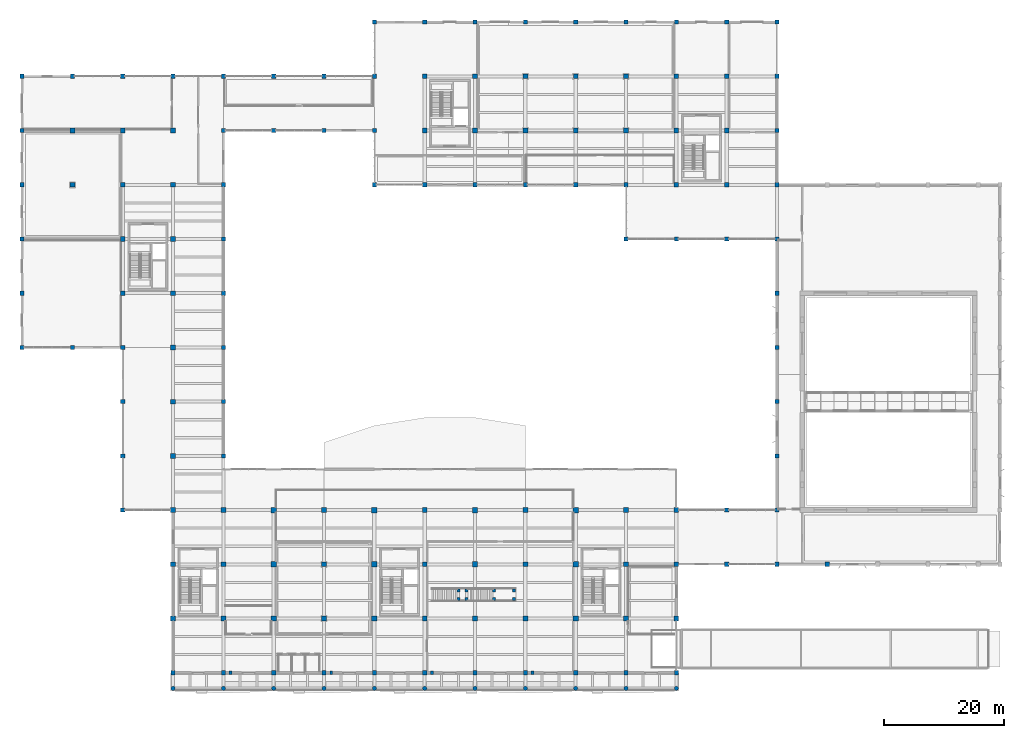
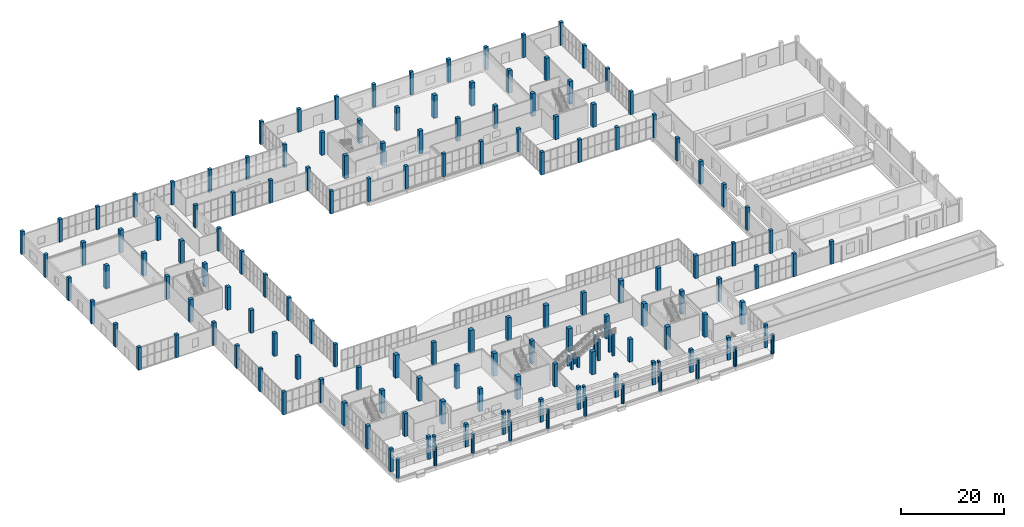
# One storey, part 1 of 91: 155 columns.
"""IFC4 building model written with IfcOpenShell, lengths in metres."""

from ifc_helpers import new_model, si_unit, direction, frame, origin, origin_2d, place, context, subcontext, project, spatial, rectangle, circle, extrude, material, material_profile, profile_set, type_object, element, save


model = new_model("IFC4")

# Units and contexts
model_context = context("Model", 3, precision=1e-05, world=origin(), true_north=direction((0.0, 1.0)))
body_context = subcontext(model_context, "Body", "Model", "MODEL_VIEW")
ifc_project = project(units=[si_unit("LENGTHUNIT", "METRE"), si_unit("AREAUNIT", "SQUARE_METRE"), si_unit("VOLUMEUNIT", "CUBIC_METRE"), si_unit("PLANEANGLEUNIT", "RADIAN"), si_unit("MASSUNIT", "GRAM", prefix="KILO")], contexts=[model_context])

# Site, building, storey
site_placement = place(None, origin())
site = spatial("IfcSite", under=ifc_project, at=site_placement, CompositionType="ELEMENT")
building_placement = place(site_placement, origin())
building = spatial("IfcBuilding", under=site, at=building_placement, Name="Khurvash Pelagic Aquarium", CompositionType="ELEMENT")
storey_placement = place(building_placement, origin())
storey = spatial("IfcBuildingStorey", under=building, at=storey_placement, Name="L00", CompositionType="ELEMENT", Elevation=0.0)

# Columns
ifc_material_1 = material(Name="Concrete C40/50", Category="concrete")
ifc_material_profile_1 = material_profile(ifc_material_1, rectangle(XDim=0.89990234375, YDim=0.89990234375, at=origin_2d()), Name="RC900X900")
ifc_profile_set_1 = profile_set([ifc_material_profile_1], Name="Concrete C40/50")
column_type_1 = type_object("IfcColumnType", Name="C-01", PredefinedType="COLUMN", material=ifc_profile_set_1)
for number, where, z_axis, x_axis, name in (
    (1, (42.0, 11.64990234375, 0.0), (0.0, 0.0, 1.0), (1.0, 0.0, 0.0), "L00 Column C-01 at 6/C"),
    (2, (42.0, 20.699951171875, 0.0), (0.0, 0.0, 1.0), (1.0, 0.0, 0.0), "L00 Column C-01 at 6/D"),
    (3, (42.0, 29.75, 0.0), (0.0, 0.0, 1.0), (1.0, 0.0, 0.0), "L00 Column C-01 at 6/E"),
    (4, (58.800048828125, 11.64990234375, 0.0), (0.0, 0.0, 1.0), (1.0, 0.0, 0.0), "L00 Column C-01 at 8/C"),
    (5, (58.800048828125, 20.699951171875, 0.0), (0.0, 0.0, 1.0), (1.0, 0.0, 0.0), "L00 Column C-01 at 8/D"),
    (6, (58.800048828125, 29.75, 0.0), (0.0, 0.0, 1.0), (1.0, 0.0, 0.0), "L00 Column C-01 at 8/E"),
    (7, (75.60009765625, 11.64990234375, 0.0), (0.0, 0.0, 1.0), (1.0, 0.0, 0.0), "L00 Column C-01 at 10/C"),
    (8, (75.60009765625, 20.699951171875, 0.0), (0.0, 0.0, 1.0), (1.0, 0.0, 0.0), "L00 Column C-01 at 10/D"),
    (9, (75.60009765625, 29.75, 0.0), (0.0, 0.0, 1.0), (1.0, 0.0, 0.0), "L00 Column C-01 at 10/E"),
    (10, (92.39990234375, 11.64990234375, 0.0), (0.0, 0.0, 1.0), (1.0, 0.0, 0.0), "L00 Column C-01 at 12/C"),
    (11, (92.39990234375, 20.699951171875, 0.0), (0.0, 0.0, 1.0), (1.0, 0.0, 0.0), "L00 Column C-01 at 12/D"),
    (12, (92.39990234375, 29.75, 0.0), (0.0, 0.0, 1.0), (1.0, 0.0, 0.0), "L00 Column C-01 at 12/E"),
):
    element("IfcColumn", number, at=place(storey_placement, frame(where, z_axis=z_axis, x_axis=x_axis)), inside=storey, type_object=column_type_1, Name=name, PredefinedType="COLUMN", context=body_context, shape_type="SweptSolid", body=[
        extrude(rectangle(XDim=0.89990234375, YDim=0.89990234375, at=origin_2d()), origin(), (0.0, 0.0, 1.0), 5.39990234375),
    ])
ifc_material_profile_2 = material_profile(ifc_material_1, rectangle(XDim=0.800048828125, YDim=0.800048828125, at=origin_2d()), Name="RC800X800")
ifc_profile_set_2 = profile_set([ifc_material_profile_2], Name="Concrete C40/50")
column_type_2 = type_object("IfcColumnType", Name="C-02", PredefinedType="COLUMN", material=ifc_profile_set_2)
for number, where, z_axis, x_axis, name in (
    (13, (8.39990234375, 84.050048828125, 0.0), (0.0, 0.0, 1.0), (1.0, 0.0, 0.0), "L00 Column C-02 at 2/L"),
    (14, (8.39990234375, 93.10009765625, 0.0), (0.0, 0.0, 1.0), (1.0, 0.0, 0.0), "L00 Column C-02 at 2/M"),
    (15, (16.800048828125, 65.949951171875, 0.0), (0.0, 0.0, 1.0), (1.0, 0.0, 0.0), "L00 Column C-02 at 3/J"),
    (16, (16.800048828125, 75.0, 0.0), (0.0, 0.0, 1.0), (1.0, 0.0, 0.0), "L00 Column C-02 at 3/K"),
    (17, (16.800048828125, 84.050048828125, 0.0), (0.0, 0.0, 1.0), (1.0, 0.0, 0.0), "L00 Column C-02 at 3/L"),
    (18, (16.800048828125, 93.10009765625, 0.0), (0.0, 0.0, 1.0), (1.0, 0.0, 0.0), "L00 Column C-02 at 3/M"),
    (19, (25.199951171875, 38.800048828125, 0.0), (0.0, 0.0, 1.0), (1.0, 0.0, 0.0), "L00 Column C-02 at 4/F"),
    (20, (25.199951171875, 47.85009765625, 0.0), (0.0, 0.0, 1.0), (1.0, 0.0, 0.0), "L00 Column C-02 at 4/G"),
    (21, (25.199951171875, 56.89990234375, 0.0), (0.0, 0.0, 1.0), (1.0, 0.0, 0.0), "L00 Column C-02 at 4/H"),
    (22, (25.199951171875, 65.949951171875, 0.0), (0.0, 0.0, 1.0), (1.0, 0.0, 0.0), "L00 Column C-02 at 4/J"),
    (23, (25.199951171875, 75.0, 0.0), (0.0, 0.0, 1.0), (1.0, 0.0, 0.0), "L00 Column C-02 at 4/K"),
    (24, (25.199951171875, 84.050048828125, 0.0), (0.0, 0.0, 1.0), (1.0, 0.0, 0.0), "L00 Column C-02 at 4/L"),
    (25, (25.199951171875, 93.10009765625, 0.0), (0.0, 0.0, 1.0), (1.0, 0.0, 0.0), "L00 Column C-02 at 4/M"),
    (26, (33.60009765625, 11.64990234375, 0.0), (0.0, 0.0, 1.0), (1.0, 0.0, 0.0), "L00 Column C-02 at 5/C"),
    (27, (33.60009765625, 20.699951171875, 0.0), (0.0, 0.0, 1.0), (1.0, 0.0, 0.0), "L00 Column C-02 at 5/D"),
    (28, (33.60009765625, 29.75, 0.0), (0.0, 0.0, 1.0), (1.0, 0.0, 0.0), "L00 Column C-02 at 5/E"),
    (29, (50.39990234375, 11.64990234375, 0.0), (0.0, 0.0, 1.0), (1.0, 0.0, 0.0), "L00 Column C-02 at 7/C"),
    (30, (50.39990234375, 20.699951171875, 0.0), (0.0, 0.0, 1.0), (1.0, 0.0, 0.0), "L00 Column C-02 at 7/D"),
    (31, (50.39990234375, 29.75, 0.0), (0.0, 0.0, 1.0), (1.0, 0.0, 0.0), "L00 Column C-02 at 7/E"),
    (32, (67.199951171875, 11.64990234375, 0.0), (0.0, 0.0, 1.0), (1.0, 0.0, 0.0), "L00 Column C-02 at 9/C"),
    (33, (67.199951171875, 20.699951171875, 0.0), (0.0, 0.0, 1.0), (1.0, 0.0, 0.0), "L00 Column C-02 at 9/D"),
    (34, (67.199951171875, 29.75, 0.0), (0.0, 0.0, 1.0), (1.0, 0.0, 0.0), "L00 Column C-02 at 9/E"),
    (35, (67.199951171875, 93.10009765625, 0.0), (0.0, 0.0, 1.0), (1.0, 0.0, 0.0), "L00 Column C-02 at 9/M"),
    (36, (67.199951171875, 102.14990234375, 0.0), (0.0, 0.0, 1.0), (1.0, 0.0, 0.0), "L00 Column C-02 at 9/N"),
    (37, (75.60009765625, 93.10009765625, 0.0), (0.0, 0.0, 1.0), (1.0, 0.0, 0.0), "L00 Column C-02 at 10/M"),
    (38, (75.60009765625, 102.14990234375, 0.0), (0.0, 0.0, 1.0), (1.0, 0.0, 0.0), "L00 Column C-02 at 10/N"),
    (39, (84.0, 11.64990234375, 0.0), (0.0, 0.0, 1.0), (1.0, 0.0, 0.0), "L00 Column C-02 at 11/C"),
    (40, (84.0, 20.699951171875, 0.0), (0.0, 0.0, 1.0), (1.0, 0.0, 0.0), "L00 Column C-02 at 11/D"),
    (41, (84.0, 29.75, 0.0), (0.0, 0.0, 1.0), (1.0, 0.0, 0.0), "L00 Column C-02 at 11/E"),
    (42, (84.0, 93.10009765625, 0.0), (0.0, 0.0, 1.0), (1.0, 0.0, 0.0), "L00 Column C-02 at 11/M"),
    (43, (84.0, 102.14990234375, 0.0), (0.0, 0.0, 1.0), (1.0, 0.0, 0.0), "L00 Column C-02 at 11/N"),
    (44, (92.39990234375, 93.10009765625, 0.0), (0.0, 0.0, 1.0), (1.0, 0.0, 0.0), "L00 Column C-02 at 12/M"),
    (45, (92.39990234375, 102.14990234375, 0.0), (0.0, 0.0, 1.0), (1.0, 0.0, 0.0), "L00 Column C-02 at 12/N"),
    (46, (100.800048828125, 11.64990234375, 0.0), (0.0, 0.0, 1.0), (1.0, 0.0, 0.0), "L00 Column C-02 at 13/C"),
    (47, (100.800048828125, 20.699951171875, 0.0), (0.0, 0.0, 1.0), (1.0, 0.0, 0.0), "L00 Column C-02 at 13/D"),
    (48, (100.800048828125, 29.75, 0.0), (0.0, 0.0, 1.0), (1.0, 0.0, 0.0), "L00 Column C-02 at 13/E"),
    (49, (100.800048828125, 93.10009765625, 0.0), (0.0, 0.0, 1.0), (1.0, 0.0, 0.0), "L00 Column C-02 at 13/M"),
    (50, (100.800048828125, 102.14990234375, 0.0), (0.0, 0.0, 1.0), (1.0, 0.0, 0.0), "L00 Column C-02 at 13/N"),
    (51, (109.199951171875, 84.050048828125, 0.0), (0.0, 0.0, 1.0), (1.0, 0.0, 0.0), "L00 Column C-02 at 14/L"),
    (52, (109.199951171875, 93.10009765625, 0.0), (0.0, 0.0, 1.0), (1.0, 0.0, 0.0), "L00 Column C-02 at 14/M"),
    (53, (109.199951171875, 102.14990234375, 0.0), (0.0, 0.0, 1.0), (1.0, 0.0, 0.0), "L00 Column C-02 at 14/N"),
    (54, (117.60009765625, 84.050048828125, 0.0), (0.0, 0.0, 1.0), (1.0, 0.0, 0.0), "L00 Column C-02 at 15/L"),
    (55, (117.60009765625, 93.10009765625, 0.0), (0.0, 0.0, 1.0), (1.0, 0.0, 0.0), "L00 Column C-02 at 15/M"),
    (56, (117.60009765625, 102.14990234375, 0.0), (0.0, 0.0, 1.0), (1.0, 0.0, 0.0), "L00 Column C-02 at 15/N"),
):
    element("IfcColumn", number, at=place(storey_placement, frame(where, z_axis=z_axis, x_axis=x_axis)), inside=storey, type_object=column_type_2, Name=name, PredefinedType="COLUMN", context=body_context, shape_type="SweptSolid", body=[
        extrude(rectangle(XDim=0.800048828125, YDim=0.800048828125, at=origin_2d()), origin(), (0.0, 0.0, 1.0), 5.39990234375),
    ])
ifc_material_2 = material(Name="Concrete C35/45", Category="concrete")
ifc_material_profile_3 = material_profile(ifc_material_2, rectangle(XDim=0.5, YDim=0.5, at=origin_2d()), Name="RC500X500")
ifc_profile_set_3 = profile_set([ifc_material_profile_3], Name="Concrete C35/45")
column_type_3 = type_object("IfcColumnType", Name="C-05", PredefinedType="COLUMN", material=ifc_profile_set_3)
for number, where, z_axis, x_axis, name in (
    (57, (72.800048828125, 14.89990234375, 0.0), (0.0, 0.0, 1.0), (1.0, 0.0, 0.0), "L00 Foyer Stair Support Column C-05"),
    (58, (72.800048828125, 16.300048828125, 0.0), (0.0, 0.0, 1.0), (1.0, 0.0, 0.0), "L00 Foyer Stair Support Column C-05"),
    (59, (74.199951171875, 14.89990234375, 0.0), (0.0, 0.0, 1.0), (1.0, 0.0, 0.0), "L00 Foyer Stair Support Column C-05"),
    (60, (74.199951171875, 16.300048828125, 0.0), (0.0, 0.0, 1.0), (1.0, 0.0, 0.0), "L00 Foyer Stair Support Column C-05"),
):
    element("IfcColumn", number, at=place(storey_placement, frame(where, z_axis=z_axis, x_axis=x_axis)), inside=storey, type_object=column_type_3, Name=name, PredefinedType="COLUMN", context=body_context, shape_type="SweptSolid", body=[
        extrude(rectangle(XDim=0.5, YDim=0.5, at=origin_2d()), origin(), (0.0, 0.0, 1.0), 2.39990234375),
    ])
for number, where, z_axis, x_axis, name in (
    (61, (78.800048828125, 14.89990234375, 0.0), (0.0, 0.0, 1.0), (1.0, 0.0, 0.0), "L00 Foyer Stair Support Column C-05"),
    (62, (78.800048828125, 16.300048828125, 0.0), (0.0, 0.0, 1.0), (1.0, 0.0, 0.0), "L00 Foyer Stair Support Column C-05"),
    (63, (82.10009765625, 14.89990234375, 0.0), (0.0, 0.0, 1.0), (1.0, 0.0, 0.0), "L00 Foyer Stair Support Column C-05"),
    (64, (82.10009765625, 16.300048828125, 0.0), (0.0, 0.0, 1.0), (1.0, 0.0, 0.0), "L00 Foyer Stair Support Column C-05"),
):
    element("IfcColumn", number, at=place(storey_placement, frame(where, z_axis=z_axis, x_axis=x_axis)), inside=storey, type_object=column_type_3, Name=name, PredefinedType="COLUMN", context=body_context, shape_type="SweptSolid", body=[
        extrude(rectangle(XDim=0.5, YDim=0.5, at=origin_2d()), origin(), (0.0, 0.0, 1.0), 5.10009765625),
    ])
ifc_material_profile_4 = material_profile(ifc_material_1, rectangle(XDim=0.800048828125, YDim=0.800048828125, at=origin_2d()), Name="RC800X800")
ifc_profile_set_4 = profile_set([ifc_material_profile_4], Name="Concrete C40/50")
column_type_4 = type_object("IfcColumnType", Name="C-06", PredefinedType="COLUMN", material=ifc_profile_set_4)
for number, where, z_axis, x_axis, name in (
    (65, (25.199951171875, 11.64990234375, 0.0), (0.0, 0.0, 1.0), (1.0, 0.0, 0.0), "L00 Column C-06 at 4/C"),
    (66, (25.199951171875, 20.699951171875, 0.0), (0.0, 0.0, 1.0), (1.0, 0.0, 0.0), "L00 Column C-06 at 4/D"),
    (67, (25.199951171875, 29.75, 0.0), (0.0, 0.0, 1.0), (1.0, 0.0, 0.0), "L00 Column C-06 at 4/E"),
    (68, (109.199951171875, 11.64990234375, 0.0), (0.0, 0.0, 1.0), (1.0, 0.0, 0.0), "L00 Column C-06 at 14/C"),
    (69, (109.199951171875, 20.699951171875, 0.0), (0.0, 0.0, 1.0), (1.0, 0.0, 0.0), "L00 Column C-06 at 14/D"),
    (70, (109.199951171875, 29.75, 0.0), (0.0, 0.0, 1.0), (1.0, 0.0, 0.0), "L00 Column C-06 at 14/E"),
):
    element("IfcColumn", number, at=place(storey_placement, frame(where, z_axis=z_axis, x_axis=x_axis)), inside=storey, type_object=column_type_4, Name=name, PredefinedType="COLUMN", context=body_context, shape_type="SweptSolid", body=[
        extrude(rectangle(XDim=0.800048828125, YDim=0.800048828125, at=origin_2d()), origin(), (0.0, 0.0, 1.0), 5.39990234375),
    ])
ifc_material_profile_5 = material_profile(ifc_material_1, rectangle(XDim=0.699951171875, YDim=0.699951171875, at=origin_2d()), Name="RC700X700")
ifc_profile_set_5 = profile_set([ifc_material_profile_5], Name="Concrete C40/50")
column_type_5 = type_object("IfcColumnType", Name="C-07", PredefinedType="COLUMN", material=ifc_profile_set_5)
for number, where, z_axis, x_axis, name in (
    (71, (0.0, 56.89990234375, 0.0), (0.0, 0.0, 1.0), (1.0, 0.0, 0.0), "L00 Column C-07 at 1/H"),
    (72, (0.0, 65.949951171875, 0.0), (0.0, 0.0, 1.0), (1.0, 0.0, 0.0), "L00 Column C-07 at 1/J"),
    (73, (0.0, 75.0, 0.0), (0.0, 0.0, 1.0), (1.0, 0.0, 0.0), "L00 Column C-07 at 1/K"),
    (74, (0.0, 84.050048828125, 0.0), (0.0, 0.0, 1.0), (1.0, 0.0, 0.0), "L00 Column C-07 at 1/L"),
    (75, (0.0, 93.10009765625, 0.0), (0.0, 0.0, 1.0), (1.0, 0.0, 0.0), "L00 Column C-07 at 1/M"),
    (76, (0.0, 102.14990234375, 0.0), (0.0, 0.0, 1.0), (1.0, 0.0, 0.0), "L00 Column C-07 at 1/N"),
    (77, (8.39990234375, 56.89990234375, 0.0), (0.0, 0.0, 1.0), (1.0, 0.0, 0.0), "L00 Column C-07 at 2/H"),
    (78, (8.39990234375, 102.14990234375, 0.0), (0.0, 0.0, 1.0), (1.0, 0.0, 0.0), "L00 Column C-07 at 2/N"),
    (79, (16.800048828125, 29.75, 0.0), (0.0, 0.0, 1.0), (1.0, 0.0, 0.0), "L00 Column C-07 at 3/E"),
    (80, (16.800048828125, 38.800048828125, 0.0), (0.0, 0.0, 1.0), (1.0, 0.0, 0.0), "L00 Column C-07 at 3/F"),
    (81, (16.800048828125, 47.85009765625, 0.0), (0.0, 0.0, 1.0), (1.0, 0.0, 0.0), "L00 Column C-07 at 3/G"),
    (82, (16.800048828125, 56.89990234375, 0.0), (0.0, 0.0, 1.0), (1.0, 0.0, 0.0), "L00 Column C-07 at 3/H"),
    (83, (16.800048828125, 102.14990234375, 0.0), (0.0, 0.0, 1.0), (1.0, 0.0, 0.0), "L00 Column C-07 at 3/N"),
    (84, (25.199951171875, 2.60009765625, 0.0), (0.0, 0.0, 1.0), (1.0, 0.0, 0.0), "L00 Column C-07 at 4/B"),
    (85, (25.199951171875, 102.14990234375, 0.0), (0.0, 0.0, 1.0), (1.0, 0.0, 0.0), "L00 Column C-07 at 4/N"),
    (86, (33.60009765625, 2.60009765625, 0.0), (0.0, 0.0, 1.0), (1.0, 0.0, 0.0), "L00 Column C-07 at 5/B"),
    (87, (33.60009765625, 38.800048828125, 0.0), (0.0, 0.0, 1.0), (1.0, 0.0, 0.0), "L00 Column C-07 at 5/F"),
    (88, (33.60009765625, 47.85009765625, 0.0), (0.0, 0.0, 1.0), (1.0, 0.0, 0.0), "L00 Column C-07 at 5/G"),
    (89, (33.60009765625, 56.89990234375, 0.0), (0.0, 0.0, 1.0), (1.0, 0.0, 0.0), "L00 Column C-07 at 5/H"),
    (90, (33.60009765625, 65.949951171875, 0.0), (0.0, 0.0, 1.0), (1.0, 0.0, 0.0), "L00 Column C-07 at 5/J"),
    (91, (33.60009765625, 75.0, 0.0), (0.0, 0.0, 1.0), (1.0, 0.0, 0.0), "L00 Column C-07 at 5/K"),
    (92, (33.60009765625, 84.050048828125, 0.0), (0.0, 0.0, 1.0), (1.0, 0.0, 0.0), "L00 Column C-07 at 5/L"),
    (93, (33.60009765625, 93.10009765625, 0.0), (0.0, 0.0, 1.0), (1.0, 0.0, 0.0), "L00 Column C-07 at 5/M"),
    (94, (33.60009765625, 102.14990234375, 0.0), (0.0, 0.0, 1.0), (1.0, 0.0, 0.0), "L00 Column C-07 at 5/N"),
    (95, (42.0, 2.60009765625, 0.0), (0.0, 0.0, 1.0), (1.0, 0.0, 0.0), "L00 Column C-07 at 6/B"),
    (96, (42.0, 93.10009765625, 0.0), (0.0, 0.0, 1.0), (1.0, 0.0, 0.0), "L00 Column C-07 at 6/M"),
    (97, (42.0, 102.14990234375, 0.0), (0.0, 0.0, 1.0), (1.0, 0.0, 0.0), "L00 Column C-07 at 6/N"),
    (98, (50.39990234375, 2.60009765625, 0.0), (0.0, 0.0, 1.0), (1.0, 0.0, 0.0), "L00 Column C-07 at 7/B"),
    (99, (50.39990234375, 93.10009765625, 0.0), (0.0, 0.0, 1.0), (1.0, 0.0, 0.0), "L00 Column C-07 at 7/M"),
    (100, (50.39990234375, 102.14990234375, 0.0), (0.0, 0.0, 1.0), (1.0, 0.0, 0.0), "L00 Column C-07 at 7/N"),
    (101, (58.800048828125, 2.60009765625, 0.0), (0.0, 0.0, 1.0), (1.0, 0.0, 0.0), "L00 Column C-07 at 8/B"),
    (102, (58.800048828125, 84.050048828125, 0.0), (0.0, 0.0, 1.0), (1.0, 0.0, 0.0), "L00 Column C-07 at 8/L"),
    (103, (58.800048828125, 93.10009765625, 0.0), (0.0, 0.0, 1.0), (1.0, 0.0, 0.0), "L00 Column C-07 at 8/M"),
    (104, (58.800048828125, 102.14990234375, 0.0), (0.0, 0.0, 1.0), (1.0, 0.0, 0.0), "L00 Column C-07 at 8/N"),
    (105, (58.800048828125, 111.199951171875, 0.0), (0.0, 0.0, 1.0), (1.0, 0.0, 0.0), "L00 Column C-07 at 8/P"),
    (106, (67.199951171875, 2.60009765625, 0.0), (0.0, 0.0, 1.0), (1.0, 0.0, 0.0), "L00 Column C-07 at 9/B"),
    (107, (67.199951171875, 84.050048828125, 0.0), (0.0, 0.0, 1.0), (1.0, 0.0, 0.0), "L00 Column C-07 at 9/L"),
    (108, (67.199951171875, 111.199951171875, 0.0), (0.0, 0.0, 1.0), (1.0, 0.0, 0.0), "L00 Column C-07 at 9/P"),
    (109, (75.60009765625, 2.60009765625, 0.0), (0.0, 0.0, 1.0), (1.0, 0.0, 0.0), "L00 Column C-07 at 10/B"),
    (110, (75.60009765625, 84.050048828125, 0.0), (0.0, 0.0, 1.0), (1.0, 0.0, 0.0), "L00 Column C-07 at 10/L"),
    (111, (75.60009765625, 111.199951171875, 0.0), (0.0, 0.0, 1.0), (1.0, 0.0, 0.0), "L00 Column C-07 at 10/P"),
    (112, (84.0, 2.60009765625, 0.0), (0.0, 0.0, 1.0), (1.0, 0.0, 0.0), "L00 Column C-07 at 11/B"),
    (113, (84.0, 84.050048828125, 0.0), (0.0, 0.0, 1.0), (1.0, 0.0, 0.0), "L00 Column C-07 at 11/L"),
    (114, (84.0, 111.199951171875, 0.0), (0.0, 0.0, 1.0), (1.0, 0.0, 0.0), "L00 Column C-07 at 11/P"),
    (115, (92.39990234375, 2.60009765625, 0.0), (0.0, 0.0, 1.0), (1.0, 0.0, 0.0), "L00 Column C-07 at 12/B"),
    (116, (92.39990234375, 84.050048828125, 0.0), (0.0, 0.0, 1.0), (1.0, 0.0, 0.0), "L00 Column C-07 at 12/L"),
    (117, (92.39990234375, 111.199951171875, 0.0), (0.0, 0.0, 1.0), (1.0, 0.0, 0.0), "L00 Column C-07 at 12/P"),
    (118, (100.800048828125, 2.60009765625, 0.0), (0.0, 0.0, 1.0), (1.0, 0.0, 0.0), "L00 Column C-07 at 13/B"),
    (119, (100.800048828125, 75.0, 0.0), (0.0, 0.0, 1.0), (1.0, 0.0, 0.0), "L00 Column C-07 at 13/K"),
    (120, (100.800048828125, 84.050048828125, 0.0), (0.0, 0.0, 1.0), (1.0, 0.0, 0.0), "L00 Column C-07 at 13/L"),
    (121, (100.800048828125, 111.199951171875, 0.0), (0.0, 0.0, 1.0), (1.0, 0.0, 0.0), "L00 Column C-07 at 13/P"),
    (122, (109.199951171875, 2.60009765625, 0.0), (0.0, 0.0, 1.0), (1.0, 0.0, 0.0), "L00 Column C-07 at 14/B"),
    (123, (109.199951171875, 75.0, 0.0), (0.0, 0.0, 1.0), (1.0, 0.0, 0.0), "L00 Column C-07 at 14/K"),
    (124, (109.199951171875, 111.199951171875, 0.0), (0.0, 0.0, 1.0), (1.0, 0.0, 0.0), "L00 Column C-07 at 14/P"),
    (125, (117.60009765625, 20.699951171875, 0.0), (0.0, 0.0, 1.0), (1.0, 0.0, 0.0), "L00 Column C-07 at 15/D"),
    (126, (117.60009765625, 29.75, 0.0), (0.0, 0.0, 1.0), (1.0, 0.0, 0.0), "L00 Column C-07 at 15/E"),
    (127, (117.60009765625, 75.0, 0.0), (0.0, 0.0, 1.0), (1.0, 0.0, 0.0), "L00 Column C-07 at 15/K"),
    (128, (117.60009765625, 111.199951171875, 0.0), (0.0, 0.0, 1.0), (1.0, 0.0, 0.0), "L00 Column C-07 at 15/P"),
    (129, (126.0, 20.699951171875, 0.0), (0.0, 0.0, 1.0), (1.0, 0.0, 0.0), "L00 Column C-07 at 16/D"),
    (130, (126.0, 29.75, 0.0), (0.0, 0.0, 1.0), (1.0, 0.0, 0.0), "L00 Column C-07 at 16/E"),
    (131, (126.0, 38.800048828125, 0.0), (0.0, 0.0, 1.0), (1.0, 0.0, 0.0), "L00 Column C-07 at 16/F"),
    (132, (126.0, 47.85009765625, 0.0), (0.0, 0.0, 1.0), (1.0, 0.0, 0.0), "L00 Column C-07 at 16/G"),
    (133, (126.0, 56.89990234375, 0.0), (0.0, 0.0, 1.0), (1.0, 0.0, 0.0), "L00 Column C-07 at 16/H"),
    (134, (126.0, 65.949951171875, 0.0), (0.0, 0.0, 1.0), (1.0, 0.0, 0.0), "L00 Column C-07 at 16/J"),
    (135, (126.0, 75.0, 0.0), (0.0, 0.0, 1.0), (1.0, 0.0, 0.0), "L00 Column C-07 at 16/K"),
    (136, (126.0, 84.050048828125, 0.0), (0.0, 0.0, 1.0), (1.0, 0.0, 0.0), "L00 Column C-07 at 16/L"),
    (137, (126.0, 93.10009765625, 0.0), (0.0, 0.0, 1.0), (1.0, 0.0, 0.0), "L00 Column C-07 at 16/M"),
    (138, (126.0, 102.14990234375, 0.0), (0.0, 0.0, 1.0), (1.0, 0.0, 0.0), "L00 Column C-07 at 16/N"),
    (139, (126.0, 111.199951171875, 0.0), (0.0, 0.0, 1.0), (1.0, 0.0, 0.0), "L00 Column C-07 at 16/P"),
    (140, (134.39990234375, 20.699951171875, 0.0), (0.0, 0.0, 1.0), (1.0, 0.0, 0.0), "L00 Column C-07 at 17/D"),
):
    element("IfcColumn", number, at=place(storey_placement, frame(where, z_axis=z_axis, x_axis=x_axis)), inside=storey, type_object=column_type_5, Name=name, PredefinedType="COLUMN", context=body_context, shape_type="SweptSolid", body=[
        extrude(rectangle(XDim=0.699951171875, YDim=0.699951171875, at=origin_2d()), origin(), (0.0, 0.0, 1.0), 5.39990234375),
    ])
ifc_material_profile_6 = material_profile(ifc_material_1, circle(Radius=0.35009765625, at=origin_2d()), Name="RC700D")
ifc_profile_set_6 = profile_set([ifc_material_profile_6], Name="Concrete C40/50")
column_type_6 = type_object("IfcColumnType", Name="C-09", PredefinedType="COLUMN", material=ifc_profile_set_6)
for number, where, z_axis, x_axis, name in (
    (141, (25.199951171875, 0.0, 0.0), (0.0, 0.0, 1.0), (1.0, 0.0, 0.0), "L00 Column C-09 at 4/A"),
    (142, (33.60009765625, 0.0, 0.0), (0.0, 0.0, 1.0), (1.0, 0.0, 0.0), "L00 Column C-09 at 5/A"),
    (143, (42.0, 0.0, 0.0), (0.0, 0.0, 1.0), (1.0, 0.0, 0.0), "L00 Column C-09 at 6/A"),
    (144, (50.39990234375, 0.0, 0.0), (0.0, 0.0, 1.0), (1.0, 0.0, 0.0), "L00 Column C-09 at 7/A"),
    (145, (58.800048828125, 0.0, 0.0), (0.0, 0.0, 1.0), (1.0, 0.0, 0.0), "L00 Column C-09 at 8/A"),
    (146, (67.199951171875, 0.0, 0.0), (0.0, 0.0, 1.0), (1.0, 0.0, 0.0), "L00 Column C-09 at 9/A"),
    (147, (75.60009765625, 0.0, 0.0), (0.0, 0.0, 1.0), (1.0, 0.0, 0.0), "L00 Column C-09 at 10/A"),
    (148, (84.0, 0.0, 0.0), (0.0, 0.0, 1.0), (1.0, 0.0, 0.0), "L00 Column C-09 at 11/A"),
    (149, (92.39990234375, 0.0, 0.0), (0.0, 0.0, 1.0), (1.0, 0.0, 0.0), "L00 Column C-09 at 12/A"),
    (150, (100.800048828125, 0.0, 0.0), (0.0, 0.0, 1.0), (1.0, 0.0, 0.0), "L00 Column C-09 at 13/A"),
    (151, (109.199951171875, 0.0, 0.0), (0.0, 0.0, 1.0), (1.0, 0.0, 0.0), "L00 Column C-09 at 14/A"),
):
    element("IfcColumn", number, at=place(storey_placement, frame(where, z_axis=z_axis, x_axis=x_axis)), inside=storey, type_object=column_type_6, Name=name, PredefinedType="COLUMN", context=body_context, shape_type="SweptSolid", body=[
        extrude(circle(Radius=0.35009765625, at=origin_2d()), origin(), (0.0, 0.0, 1.0), 4.5),
    ])
ifc_material_profile_7 = material_profile(ifc_material_1, rectangle(XDim=0.449951171875, YDim=0.64990234375, at=origin_2d()), Name="RC450X650")
ifc_profile_set_7 = profile_set([ifc_material_profile_7], Name="Concrete C40/50")
column_type_7 = type_object("IfcColumnType", Name="PL-C2", PredefinedType="PILASTER", material=ifc_profile_set_7)
for number, where, z_axis, x_axis, name in (
    (152, (34.800048828125, 2.60009765625, 0.0), (0.0, 0.0, 1.0), (1.0, 0.0, 0.0), "L00 Boulevard Facade Engaged Pilaster PL-C2 009"),
    (153, (51.60009765625, 2.60009765625, 0.0), (0.0, 0.0, 1.0), (1.0, 0.0, 0.0), "L00 Boulevard Facade Engaged Pilaster PL-C2 010"),
    (154, (68.39990234375, 2.60009765625, 0.0), (0.0, 0.0, 1.0), (1.0, 0.0, 0.0), "L00 Boulevard Facade Engaged Pilaster PL-C2 011"),
    (155, (85.199951171875, 2.60009765625, 0.0), (0.0, 0.0, 1.0), (1.0, 0.0, 0.0), "L00 Boulevard Facade Engaged Pilaster PL-C2 012"),
):
    element("IfcColumn", number, at=place(storey_placement, frame(where, z_axis=z_axis, x_axis=x_axis)), inside=storey, type_object=column_type_7, Name=name, PredefinedType="PILASTER", context=body_context, shape_type="SweptSolid", body=[
        extrude(rectangle(XDim=0.449951171875, YDim=0.64990234375, at=origin_2d()), origin(), (0.0, 0.0, 1.0), 5.10009765625),
    ])

save(model, "model.ifc")
